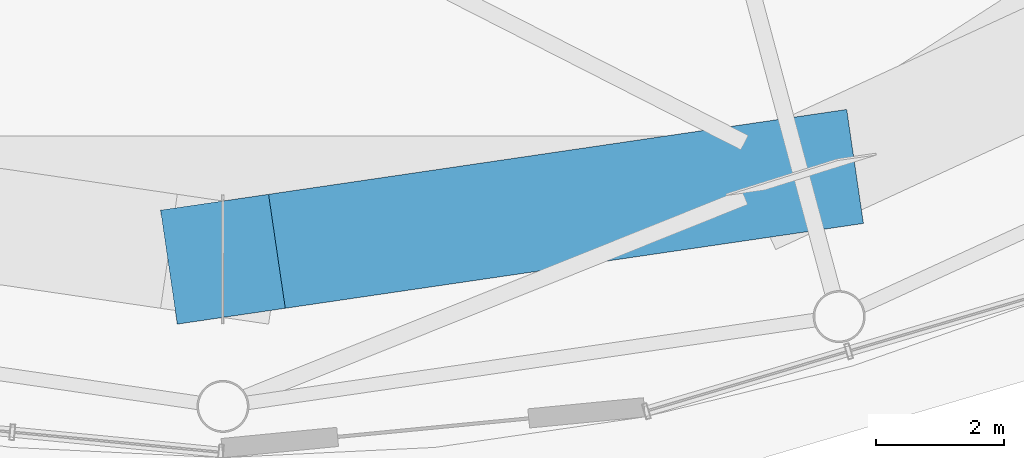
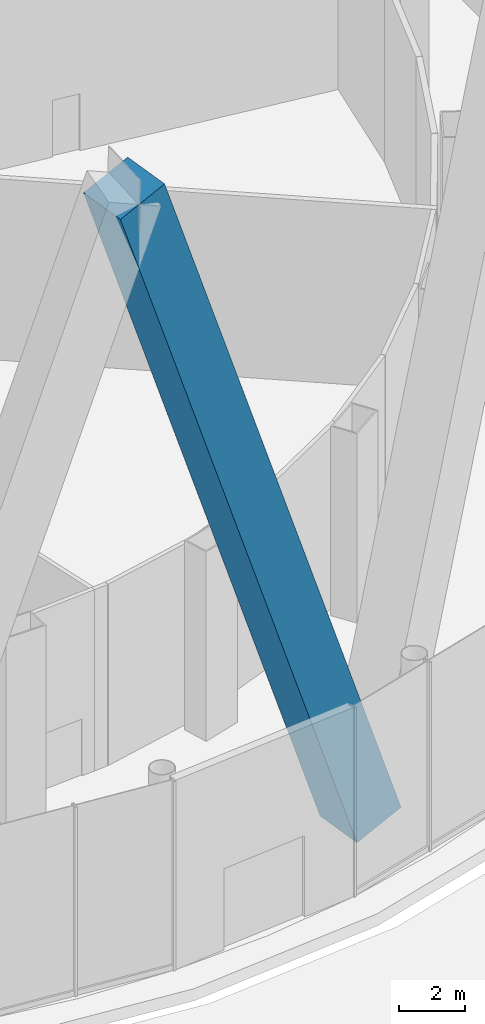
# One storey, part 15 of 67: 1 member.
"""IFC4 building model written with IfcOpenShell, lengths in metres."""

from ifc_helpers import new_model, si_unit, direction, frame, origin, origin_2d, place, context, subcontext, project, spatial, rectangle, extrude, material, material_profile, profile_set, type_object, element, save


model = new_model("IFC4")

# Units and contexts
model_context = context("Model", 3, precision=1e-05, world=origin(), true_north=direction((0.0, 1.0)))
body_context = subcontext(model_context, "Body", "Model", "MODEL_VIEW")
ifc_project = project(units=[si_unit("LENGTHUNIT", "METRE"), si_unit("AREAUNIT", "SQUARE_METRE"), si_unit("VOLUMEUNIT", "CUBIC_METRE"), si_unit("PLANEANGLEUNIT", "RADIAN"), si_unit("MASSUNIT", "GRAM", prefix="KILO")], contexts=[model_context])

# Site, building, storey
site_placement = place(None, origin())
site = spatial("IfcSite", under=ifc_project, at=site_placement, CompositionType="ELEMENT")
building_placement = place(site_placement, origin())
building = spatial("IfcBuilding", under=site, at=building_placement, Name="Nagisa Residences", CompositionType="ELEMENT")
storey_placement = place(building_placement, origin())
storey = spatial("IfcBuildingStorey", under=building, at=storey_placement, Name="L00", CompositionType="ELEMENT", Elevation=0.0)

# Member
ifc_material = material(Name="Concrete C80", Category="concrete")
ifc_material_profile = material_profile(ifc_material, rectangle(XDim=1.800048828125, YDim=1.800048828125, at=origin_2d()), Name="C80 1800x1800")
ifc_profile_set = profile_set([ifc_material_profile], Name="Concrete C80")
member_type = type_object("IfcMemberType", Name="Cage diagonal 1 C80 1800x1800", PredefinedType="BRACE", material=ifc_profile_set)
member_placement = place(storey_placement, frame((12.6328125, -37.574462890625, 0.0), z_axis=(-0.316918493303, -0.046503878592, 0.947312017172), x_axis=(0.145182950526, -0.989404826589, 0.0)))
element("IfcMember", 1, at=member_placement, inside=storey, type_object=member_type, Name="mem:L00:cg1d019", PredefinedType="BRACE", context=body_context, shape_type="SweptSolid", body=[
    extrude(rectangle(XDim=1.800048828125, YDim=1.800048828125, at=origin_2d()), origin(), (0.0, 0.0, 1.0), 28.501708984375),
])

save(model, "model.ifc")
